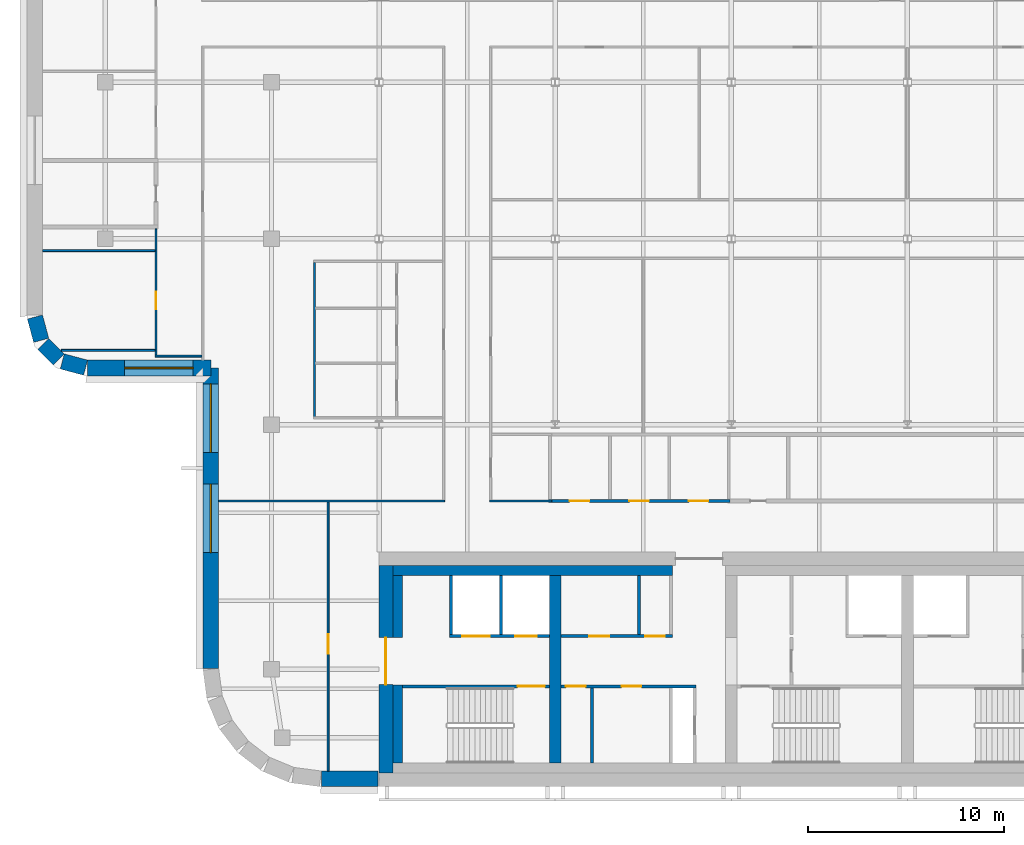
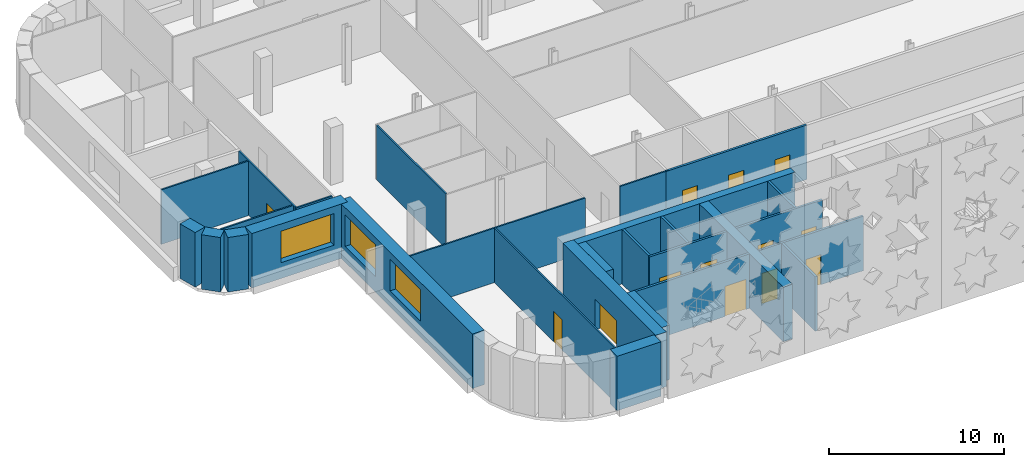
# One storey, part 7 of 18: 28 walls, 13 doors, 3 windows, 16 openings.
"""IFC4 building model written with IfcOpenShell, lengths in metres."""

from ifc_helpers import new_model, si_unit, direction, frame, frame_2d, origin, place, context, subcontext, project, spatial, rectangle, extrude, material, layer, layer_set, type_object, element, fill, save


model = new_model("IFC4")

# Units and contexts
model_context = context("Model", 3, precision=1e-05, world=origin(), true_north=direction((0.0, 1.0)))
body_context = subcontext(model_context, "Body", "Model", "MODEL_VIEW")
ifc_project = project(units=[si_unit("LENGTHUNIT", "METRE"), si_unit("AREAUNIT", "SQUARE_METRE"), si_unit("VOLUMEUNIT", "CUBIC_METRE"), si_unit("PLANEANGLEUNIT", "RADIAN"), si_unit("MASSUNIT", "GRAM", prefix="KILO")], contexts=[model_context])

# Site, building, storey
site_placement = place(None, origin())
site = spatial("IfcSite", under=ifc_project, at=site_placement, CompositionType="ELEMENT")
building_placement = place(site_placement, origin())
building = spatial("IfcBuilding", under=site, at=building_placement, Name="Zellij Exchange Tower", CompositionType="ELEMENT")
storey_placement = place(building_placement, frame((0.0, 0.0, 240.5)))
storey = spatial("IfcBuildingStorey", under=building, at=storey_placement, Name="L56", CompositionType="ELEMENT", Elevation=240.5)

# Walls
ifc_material_1 = material(Name="Concrete C50/60", Category="concrete")
ifc_layer_1 = layer(ifc_material_1, 0.60009765625)
ifc_layer_set_1 = layer_set([ifc_layer_1], Name="Concrete C50/60")
wall_type_1 = type_object("IfcWallType", Name="CORE-CW 600 C50/60", PredefinedType="SHEAR", material=ifc_layer_set_1)
wall_1_placement = place(storey_placement, frame((-18.0, -12.800048828125, 0.0), z_axis=(0.0, 0.0, 1.0), x_axis=(0.0, 1.0, 0.0)))
element("IfcWall", 1, at=wall_1_placement, inside=storey, type_object=wall_type_1, Name="Core cross wall x -18 L56", PredefinedType="SHEAR", context=body_context, shape_type="SweptSolid", body=[
    extrude(rectangle(XDim=9.60009765625, YDim=0.60009765625, at=frame_2d((4.800048828125, 0.0))), origin(), (0.0, 0.0, 1.0), 3.800048828125),
])
ifc_material_2 = material(Name="Concrete C30/37", Category="concrete")
ifc_layer_2 = layer(ifc_material_2, 0.5)
ifc_layer_set_2 = layer_set([ifc_layer_2], Name="Concrete C30/37")
wall_type_2 = type_object("IfcWallType", Name="CORE-LW 500 C30/37", PredefinedType="SHEAR", material=ifc_layer_set_2)
wall_2_placement = place(storey_placement, frame((-26.300048828125, -2.949951171875, 0.0), z_axis=(0.0, 0.0, 1.0), x_axis=(1.0, 0.0, 0.0)))
element("IfcWall", 2, at=wall_2_placement, inside=storey, type_object=wall_type_2, Name="Core wall lining front.0 L56", PredefinedType="SHEAR", context=body_context, shape_type="SweptSolid", body=[
    extrude(rectangle(XDim=14.300048828125, YDim=0.5, at=frame_2d((7.14990234375, 0.0))), origin(), (0.0, 0.0, 1.0), 3.800048828125),
])
wall_3_placement = place(storey_placement, frame((-26.050048828125, -12.800048828125, 0.0), z_axis=(0.0, 0.0, 1.0), x_axis=(0.0, 1.0, 0.0)))
element("IfcWall", 3, at=wall_3_placement, inside=storey, type_object=wall_type_2, Name="Core wall lining end w.0 L56", PredefinedType="SHEAR", context=body_context, shape_type="SweptSolid", body=[
    extrude(rectangle(XDim=4.0, YDim=0.5, at=frame_2d((2.0, 0.0))), origin(), (0.0, 0.0, 1.0), 3.800048828125),
])
wall_4_placement = place(storey_placement, frame((-26.050048828125, -6.375, 0.0), z_axis=(0.0, 0.0, 1.0), x_axis=(0.0, 1.0, 0.0)))
element("IfcWall", 4, at=wall_4_placement, inside=storey, type_object=wall_type_2, Name="Core wall lining end w.1 L56", PredefinedType="SHEAR", context=body_context, shape_type="SweptSolid", body=[
    extrude(rectangle(XDim=3.175048828125, YDim=0.5, at=frame_2d((1.58740234375, 0.0))), origin(), (0.0, 0.0, 1.0), 3.800048828125),
])
ifc_material_3 = material(Name="Gypsum board partition")
ifc_layer_3 = layer(ifc_material_3, 0.14990234375)
ifc_layer_set_3 = layer_set([ifc_layer_3], Name="Gypsum board partition")
wall_type_3 = type_object("IfcWallType", Name="CORE-PW 150 Lift lobby wall", PredefinedType="PARTITIONING", material=ifc_layer_set_3)
wall_5_placement = place(storey_placement, frame((-13.72509765625, -6.22509765625, 0.0), z_axis=(0.0, 0.0, 1.0), x_axis=(0.0, 1.0, 0.0)))
element("IfcWall", 5, at=wall_5_placement, inside=storey, type_object=wall_type_3, Name="Lift lobby wall L56", PredefinedType="PARTITIONING", context=body_context, shape_type="SweptSolid", body=[
    extrude(rectangle(XDim=3.025146484375, YDim=0.14990234375, at=frame_2d((1.5126953125, 0.0))), origin(), (0.0, 0.0, 1.0), 3.800048828125),
])
wall_6_placement = place(storey_placement, frame((-16.125, -12.800048828125, 0.0), z_axis=(0.0, 0.0, 1.0), x_axis=(0.0, 1.0, 0.0)))
element("IfcWall", 6, at=wall_6_placement, inside=storey, type_object=wall_type_3, Name="Lift lobby wall L56", PredefinedType="PARTITIONING", context=body_context, shape_type="SweptSolid", body=[
    extrude(rectangle(XDim=3.85009765625, YDim=0.14990234375, at=frame_2d((1.925048828125, 0.0))), origin(), (0.0, 0.0, 1.0), 3.800048828125),
])

# Wall, openings, doors
wall_7_placement = place(storey_placement, frame((-17.699951171875, -6.300048828125, 0.0), z_axis=(0.0, 0.0, 1.0), x_axis=(1.0, 0.0, 0.0)))
wall_7 = element("IfcWall", 7, at=wall_7_placement, inside=storey, type_object=wall_type_3, Name="Lift lobby wall L56", PredefinedType="PARTITIONING", context=body_context, shape_type="SweptSolid", body=[
    extrude(rectangle(XDim=5.699951171875, YDim=0.14990234375, at=frame_2d((2.85009765625, 0.0))), origin(), (0.0, 0.0, 1.0), 3.800048828125),
])
opening_1_placement = place(wall_7_placement, frame((1.449951171875, 0.0, 0.0)))
opening_1 = element("IfcOpeningElement", 8, at=opening_1_placement, cuts=wall_7, Name="Opening CA-29.06", PredefinedType="OPENING", context=body_context, shape_type="SweptSolid", body=[
    extrude(rectangle(XDim=1.0, YDim=2.10009765625, at=frame_2d((0.5, 1.050048828125))), frame((0.0, 0.0869140625, 0.0), z_axis=(0.0, -1.0, 0.0), x_axis=(1.0, 0.0, 0.0)), (0.0, 0.0, 1.0), 0.173828125),
])
opening_2_placement = place(wall_7_placement, frame((4.300048828125, 0.0, 0.0)))
opening_2 = element("IfcOpeningElement", 9, at=opening_2_placement, cuts=wall_7, Name="Opening CA-29.08", PredefinedType="OPENING", context=body_context, shape_type="SweptSolid", body=[
    extrude(rectangle(XDim=1.0, YDim=2.10009765625, at=frame_2d((0.5, 1.050048828125))), frame((0.0, 0.0869140625, 0.0), z_axis=(0.0, -1.0, 0.0), x_axis=(1.0, 0.0, 0.0)), (0.0, 0.0, 1.0), 0.173828125),
])
ifc_material_4 = material(Name="Hollow metal fire door")
door_type_1 = type_object("IfcDoorType", Name="CORE-D CD Core room door 1000x2100 1 HR", OperationType="NOTDEFINED", PredefinedType="DOOR", material=ifc_material_4)
door_1_placement = place(opening_1_placement, origin())
door_1 = element("IfcDoor", 10, at=door_1_placement, inside=storey, type_object=door_type_1, Name="Core room door CA-29.06", OperationType="SINGLE_SWING_LEFT", OverallHeight=2.10009765625, OverallWidth=1.0, PredefinedType="DOOR", context=body_context, shape_type="SweptSolid", body=[
    extrude(rectangle(XDim=1.0, YDim=2.10009765625, at=frame_2d((0.5, 1.050048828125))), frame((0.0, 0.02490234375, 0.0), z_axis=(0.0, -1.0, 0.0), x_axis=(1.0, 0.0, 0.0)), (0.0, 0.0, 1.0), 0.050048828125),
])
fill(opening_1, door_1)
door_2_placement = place(opening_2_placement, origin())
door_2 = element("IfcDoor", 11, at=door_2_placement, inside=storey, type_object=door_type_1, Name="Core room door CA-29.08", OperationType="SINGLE_SWING_RIGHT", OverallHeight=2.10009765625, OverallWidth=1.0, PredefinedType="DOOR", context=body_context, shape_type="SweptSolid", body=[
    extrude(rectangle(XDim=1.0, YDim=2.10009765625, at=frame_2d((0.5, 1.050048828125))), frame((0.0, 0.02490234375, 0.0), z_axis=(0.0, -1.0, 0.0), x_axis=(1.0, 0.0, 0.0)), (0.0, 0.0, 1.0), 0.050048828125),
])
fill(opening_2, door_2)

wall_8_placement = place(storey_placement, frame((-17.699951171875, -8.875, 0.0), z_axis=(0.0, 0.0, 1.0), x_axis=(1.0, 0.0, 0.0)))
wall_8 = element("IfcWall", 12, at=wall_8_placement, inside=storey, type_object=wall_type_3, Name="Lift lobby wall L56", PredefinedType="PARTITIONING", context=body_context, shape_type="SweptSolid", body=[
    extrude(rectangle(XDim=6.89990234375, YDim=0.14990234375, at=frame_2d((3.449951171875, 0.0))), origin(), (0.0, 0.0, 1.0), 3.800048828125),
])
opening_3_placement = place(wall_8_placement, frame((0.25, 0.0, 0.0)))
opening_3 = element("IfcOpeningElement", 13, at=opening_3_placement, cuts=wall_8, Name="Opening CA-29.05", PredefinedType="OPENING", context=body_context, shape_type="SweptSolid", body=[
    extrude(rectangle(XDim=1.0, YDim=2.10009765625, at=frame_2d((0.5, 1.050048828125))), frame((0.0, 0.0869140625, 0.0), z_axis=(0.0, -1.0, 0.0), x_axis=(1.0, 0.0, 0.0)), (0.0, 0.0, 1.0), 0.173828125),
])
opening_4_placement = place(wall_8_placement, frame((3.10009765625, 0.0, 0.0)))
opening_4 = element("IfcOpeningElement", 14, at=opening_4_placement, cuts=wall_8, Name="Opening CA-29.07", PredefinedType="OPENING", context=body_context, shape_type="SweptSolid", body=[
    extrude(rectangle(XDim=1.0, YDim=2.10009765625, at=frame_2d((0.5, 1.050048828125))), frame((0.0, 0.0869140625, 0.0), z_axis=(0.0, -1.0, 0.0), x_axis=(1.0, 0.0, 0.0)), (0.0, 0.0, 1.0), 0.173828125),
])
door_3_placement = place(opening_4_placement, origin())
door_3 = element("IfcDoor", 15, at=door_3_placement, inside=storey, type_object=door_type_1, Name="Core room door CA-29.07", OperationType="SINGLE_SWING_LEFT", OverallHeight=2.10009765625, OverallWidth=1.0, PredefinedType="DOOR", context=body_context, shape_type="SweptSolid", body=[
    extrude(rectangle(XDim=1.0, YDim=2.10009765625, at=frame_2d((0.5, 1.050048828125))), frame((0.0, 0.02490234375, 0.0), z_axis=(0.0, -1.0, 0.0), x_axis=(1.0, 0.0, 0.0)), (0.0, 0.0, 1.0), 0.050048828125),
])
fill(opening_4, door_3)
door_type_2 = type_object("IfcDoorType", Name="CORE-D CDA Core room door 1000x2100 1.5 HR", OperationType="NOTDEFINED", PredefinedType="DOOR", material=ifc_material_4)
door_4_placement = place(opening_3_placement, origin())
door_4 = element("IfcDoor", 16, at=door_4_placement, inside=storey, type_object=door_type_2, Name="Core room door CA-29.05", OperationType="SINGLE_SWING_RIGHT", OverallHeight=2.10009765625, OverallWidth=1.0, PredefinedType="DOOR", context=body_context, shape_type="SweptSolid", body=[
    extrude(rectangle(XDim=1.0, YDim=2.10009765625, at=frame_2d((0.5, 1.050048828125))), frame((0.0, 0.02490234375, 0.0), z_axis=(0.0, -1.0, 0.0), x_axis=(1.0, 0.0, 0.0)), (0.0, 0.0, 1.0), 0.050048828125),
])
fill(opening_3, door_4)

# Walls
ifc_material_5 = material(Name="Gypsum shaft wall system")
ifc_layer_4 = layer(ifc_material_5, 0.14990234375)
ifc_layer_set_4 = layer_set([ifc_layer_4], Name="Gypsum shaft wall system")
wall_type_4 = type_object("IfcWallType", Name="CORE-PW 150 Lift shaft wall", PredefinedType="PARTITIONING", material=ifc_layer_set_4)
for number, where, z_axis, x_axis, name in (
    (17, (-20.77490234375, -6.22509765625, 0.0), (0.0, 0.0, 1.0), (0.0, 1.0, 0.0), "Lift shaft wall L56"),
    (18, (-23.324951171875, -6.22509765625, 0.0), (0.0, 0.0, 1.0), (0.0, 1.0, 0.0), "Lift shaft wall L56"),
):
    element("IfcWall", number, at=place(storey_placement, frame(where, z_axis=z_axis, x_axis=x_axis)), inside=storey, type_object=wall_type_4, Name=name, PredefinedType="PARTITIONING", context=body_context, shape_type="SweptSolid", body=[
        extrude(rectangle(XDim=3.025146484375, YDim=0.14990234375, at=frame_2d((1.5126953125, 0.0))), origin(), (0.0, 0.0, 1.0), 3.800048828125),
    ])

# Wall, openings, doors
wall_9_placement = place(storey_placement, frame((-23.39990234375, -6.300048828125, 0.0), z_axis=(0.0, 0.0, 1.0), x_axis=(1.0, 0.0, 0.0)))
wall_9 = element("IfcWall", 19, at=wall_9_placement, inside=storey, type_object=wall_type_4, Name="Lift shaft wall L56", PredefinedType="PARTITIONING", context=body_context, shape_type="SweptSolid", body=[
    extrude(rectangle(XDim=5.099853515625, YDim=0.14990234375, at=frame_2d((2.5498046875, 0.0))), origin(), (0.0, 0.0, 1.0), 3.800048828125),
])
opening_5_placement = place(wall_9_placement, frame((0.64990234375, 0.0, 0.0)))
opening_5 = element("IfcOpeningElement", 20, at=opening_5_placement, cuts=wall_9, Name="Opening CA-29.02", PredefinedType="OPENING", context=body_context, shape_type="SweptSolid", body=[
    extrude(rectangle(XDim=1.39990234375, YDim=2.10009765625, at=frame_2d((0.699951171875, 1.050048828125))), frame((0.0, 0.0869140625, 0.0), z_axis=(0.0, -1.0, 0.0), x_axis=(1.0, 0.0, 0.0)), (0.0, 0.0, 1.0), 0.173828125),
])
opening_6_placement = place(wall_9_placement, frame((3.35009765625, 0.0, 0.0)))
opening_6 = element("IfcOpeningElement", 21, at=opening_6_placement, cuts=wall_9, Name="Opening CA-29.03", PredefinedType="OPENING", context=body_context, shape_type="SweptSolid", body=[
    extrude(rectangle(XDim=1.10009765625, YDim=2.10009765625, at=frame_2d((0.550048828125, 1.050048828125))), frame((0.0, 0.0869140625, 0.0), z_axis=(0.0, -1.0, 0.0), x_axis=(1.0, 0.0, 0.0)), (0.0, 0.0, 1.0), 0.173828125),
])
door_type_3 = type_object("IfcDoorType", Name="CORE-D LD Lift landing door 1100x2100 1.5 HR", OperationType="NOTDEFINED", PredefinedType="DOOR", material=ifc_material_4)
door_5_placement = place(opening_6_placement, origin())
door_5 = element("IfcDoor", 22, at=door_5_placement, inside=storey, type_object=door_type_3, Name="Lift landing door CA-29.03", OperationType="SLIDING_TO_LEFT", OverallHeight=2.10009765625, OverallWidth=1.10009765625, PredefinedType="DOOR", context=body_context, shape_type="SweptSolid", body=[
    extrude(rectangle(XDim=1.10009765625, YDim=2.10009765625, at=frame_2d((0.550048828125, 1.050048828125))), frame((0.0, 0.02490234375, 0.0), z_axis=(0.0, -1.0, 0.0), x_axis=(1.0, 0.0, 0.0)), (0.0, 0.0, 1.0), 0.050048828125),
])
fill(opening_6, door_5)
door_type_4 = type_object("IfcDoorType", Name="CORE-D LD2 Service lift landing door 1400x2100 1.5 HR", OperationType="NOTDEFINED", PredefinedType="DOOR", material=ifc_material_4)
door_6_placement = place(opening_5_placement, origin())
door_6 = element("IfcDoor", 23, at=door_6_placement, inside=storey, type_object=door_type_4, Name="Service lift landing door CA-29.02", OperationType="SLIDING_TO_RIGHT", OverallHeight=2.10009765625, OverallWidth=1.39990234375, PredefinedType="DOOR", context=body_context, shape_type="SweptSolid", body=[
    extrude(rectangle(XDim=1.39990234375, YDim=2.10009765625, at=frame_2d((0.699951171875, 1.050048828125))), frame((0.0, 0.02490234375, 0.0), z_axis=(0.0, -1.0, 0.0), x_axis=(1.0, 0.0, 0.0)), (0.0, 0.0, 1.0), 0.050048828125),
])
fill(opening_5, door_6)

# Wall, opening, door
ifc_layer_5 = layer(ifc_material_1, 0.699951171875)
ifc_layer_set_5 = layer_set([ifc_layer_5], Name="Concrete C50/60")
wall_type_5 = type_object("IfcWallType", Name="CORE-SW 700 C50/60", PredefinedType="SHEAR", material=ifc_layer_set_5)
wall_10_placement = place(storey_placement, frame((-26.64990234375, -13.300048828125, 0.0), z_axis=(0.0, 0.0, 1.0), x_axis=(0.0, 1.0, 0.0)))
wall_10 = element("IfcWall", 24, at=wall_10_placement, inside=storey, type_object=wall_type_5, Name="Core shear wall end w L56", PredefinedType="SHEAR", context=body_context, shape_type="SweptSolid", body=[
    extrude(rectangle(XDim=10.60009765625, YDim=0.699951171875, at=frame_2d((5.300048828125, 0.0))), origin(), (0.0, 0.0, 1.0), 3.800048828125),
])
opening_7_placement = place(wall_10_placement, frame((4.511962890625, 0.0, 0.0)))
opening_7 = element("IfcOpeningElement", 25, at=opening_7_placement, cuts=wall_10, Name="Opening CA-29.01", PredefinedType="OPENING", context=body_context, shape_type="SweptSolid", body=[
    extrude(rectangle(XDim=2.39990234375, YDim=2.10009765625, at=frame_2d((1.199951171875, 1.050048828125))), frame((0.0, 0.36181640625, 0.0), z_axis=(0.0, -1.0, 0.0), x_axis=(1.0, 0.0, 0.0)), (0.0, 0.0, 1.0), 0.723876953125),
])
door_type_5 = type_object("IfcDoorType", Name="CORE-D CE Core entrance door 2400x2100 20 MIN", OperationType="NOTDEFINED", PredefinedType="DOOR", material=ifc_material_4)
door_7_placement = place(opening_7_placement, origin())
door_7 = element("IfcDoor", 26, at=door_7_placement, inside=storey, type_object=door_type_5, Name="Core entrance door CA-29.01", OperationType="DOUBLE_DOOR_SINGLE_SWING", OverallHeight=2.10009765625, OverallWidth=2.39990234375, PredefinedType="DOOR", context=body_context, shape_type="SweptSolid", body=[
    extrude(rectangle(XDim=2.39990234375, YDim=2.10009765625, at=frame_2d((1.199951171875, 1.050048828125))), frame((0.0, 0.02490234375, 0.0), z_axis=(0.0, -1.0, 0.0), x_axis=(1.0, 0.0, 0.0)), (0.0, 0.0, 1.0), 0.050048828125),
])
fill(opening_7, door_7)

ifc_layer_6 = layer(ifc_material_1, 0.14990234375)
ifc_layer_set_6 = layer_set([ifc_layer_6], Name="Concrete C50/60")
wall_type_6 = type_object("IfcWallType", Name="CORE-SWS 150 C50/60", PredefinedType="SHEAR", material=ifc_layer_set_6)
wall_11_placement = place(storey_placement, frame((-25.800048828125, -8.875, 0.0), z_axis=(0.0, 0.0, 1.0), x_axis=(1.0, 0.0, 0.0)))
wall_11 = element("IfcWall", 27, at=wall_11_placement, inside=storey, type_object=wall_type_6, Name="Stair enclosure wall L56", PredefinedType="SHEAR", context=body_context, shape_type="SweptSolid", body=[
    extrude(rectangle(XDim=7.5, YDim=0.14990234375, at=frame_2d((3.75, 0.0))), origin(), (0.0, 0.0, 1.0), 3.800048828125),
])
opening_8_placement = place(wall_11_placement, frame((5.875, 0.0, 0.0)))
opening_8 = element("IfcOpeningElement", 28, at=opening_8_placement, cuts=wall_11, Name="Opening CA-29.04", PredefinedType="OPENING", context=body_context, shape_type="SweptSolid", body=[
    extrude(rectangle(XDim=1.39990234375, YDim=2.10009765625, at=frame_2d((0.699951171875, 1.050048828125))), frame((0.0, 0.0869140625, 0.0), z_axis=(0.0, -1.0, 0.0), x_axis=(1.0, 0.0, 0.0)), (0.0, 0.0, 1.0), 0.173828125),
])
door_type_6 = type_object("IfcDoorType", Name="CORE-D SD Stair door 1400x2100 1.5 HR", OperationType="NOTDEFINED", PredefinedType="DOOR", material=ifc_material_4)
door_8_placement = place(opening_8_placement, origin())
door_8 = element("IfcDoor", 29, at=door_8_placement, inside=storey, type_object=door_type_6, Name="Stair door CA-29.04", OperationType="DOUBLE_DOOR_SINGLE_SWING", OverallHeight=2.10009765625, OverallWidth=1.39990234375, PredefinedType="DOOR", context=body_context, shape_type="SweptSolid", body=[
    extrude(rectangle(XDim=1.39990234375, YDim=2.10009765625, at=frame_2d((0.699951171875, 1.050048828125))), frame((0.0, 0.02490234375, 0.0), z_axis=(0.0, -1.0, 0.0), x_axis=(1.0, 0.0, 0.0)), (0.0, 0.0, 1.0), 0.050048828125),
])
fill(opening_8, door_8)

# Walls
ifc_material_6 = material(Name="Precast concrete C40/50", Category="concrete")
ifc_layer_7 = layer(ifc_material_6, 0.800048828125)
ifc_layer_set_7 = layer_set([ifc_layer_7], Name="Precast concrete C40/50")
wall_type_7 = type_object("IfcWallType", Name="ENV-EW1 Precast stone-piered wall 800", PredefinedType="SOLIDWALL", material=ifc_layer_set_7)
wall_12_placement = place(storey_placement, frame((-29.947509765625, -13.60009765625, 0.0), z_axis=(0.0, 0.0, 1.0), x_axis=(1.0, 0.0, 0.0)))
element("IfcWall", 30, at=wall_12_placement, inside=storey, type_object=wall_type_7, Name="fac.L56.00a", PredefinedType="SOLIDWALL", context=body_context, shape_type="SweptSolid", body=[
    extrude(rectangle(XDim=2.8974609375, YDim=0.800048828125, at=frame_2d((1.44873046875, 0.0))), origin(), (0.0, 0.0, 1.0), 3.800048828125),
])
wall_13_placement = place(storey_placement, frame((-44.58642578125, 10.001708984375, 0.0), z_axis=(0.0, 0.0, 1.0), x_axis=(0.258943885187, -0.965892366842, 0.0)))
element("IfcWall", 31, at=wall_13_placement, inside=storey, type_object=wall_type_7, Name="fac.L56.22", PredefinedType="SOLIDWALL", context=body_context, shape_type="SweptSolid", body=[
    extrude(rectangle(XDim=1.233154296875, YDim=0.800048828125, at=frame_2d((0.61669921875, 0.0))), origin(), (0.0, 0.0, 1.0), 3.800048828125),
])
wall_14_placement = place(storey_placement, frame((-44.163818359375, 8.63134765625, 0.0), z_axis=(0.0, 0.0, 1.0), x_axis=(0.707106781187, -0.707106781187, 0.0)))
element("IfcWall", 32, at=wall_14_placement, inside=storey, type_object=wall_type_7, Name="fac.L56.23", PredefinedType="SOLIDWALL", context=body_context, shape_type="SweptSolid", body=[
    extrude(rectangle(XDim=1.12451171875, YDim=0.800048828125, at=frame_2d((0.562255859375, 0.0))), origin(), (0.0, 0.0, 1.0), 3.800048828125),
])
wall_15_placement = place(storey_placement, frame((-43.189453125, 7.73291015625, 0.0), z_axis=(0.0, 0.0, 1.0), x_axis=(0.965892366842, -0.258943885187, 0.0)))
element("IfcWall", 33, at=wall_15_placement, inside=storey, type_object=wall_type_7, Name="fac.L56.24", PredefinedType="SOLIDWALL", context=body_context, shape_type="SweptSolid", body=[
    extrude(rectangle(XDim=1.233154296875, YDim=0.800048828125, at=frame_2d((0.61669921875, 0.0))), origin(), (0.0, 0.0, 1.0), 3.800048828125),
])

# Wall, opening, window
wall_16_placement = place(storey_placement, frame((-41.89453125, 7.39990234375, 0.0), z_axis=(0.0, 0.0, 1.0), x_axis=(1.0, 0.0, 0.0)))
wall_16 = element("IfcWall", 34, at=wall_16_placement, inside=storey, type_object=wall_type_7, Name="fac.L56.25", PredefinedType="SOLIDWALL", context=body_context, shape_type="SweptSolid", body=[
    extrude(rectangle(XDim=6.29443359375, YDim=0.800048828125, at=frame_2d((3.147216796875, 0.0))), origin(), (0.0, 0.0, 1.0), 3.800048828125),
])
opening_9_placement = place(wall_16_placement, frame((1.89453125, 0.0, 1.10009765625)))
opening_9 = element("IfcOpeningElement", 35, at=opening_9_placement, cuts=wall_16, Name="Opening FZ4.21", PredefinedType="OPENING", context=body_context, shape_type="SweptSolid", body=[
    extrude(rectangle(XDim=3.5, YDim=2.199951171875, at=frame_2d((1.75, 1.10009765625))), frame((0.0, 0.412109375, 0.0), z_axis=(0.0, -1.0, 0.0), x_axis=(1.0, 0.0, 0.0)), (0.0, 0.0, 1.0), 0.823974609375),
])
ifc_material_7 = material(Name="Aluminium frame with insulating glass", Category="aluminium")
window_type = type_object("IfcWindowType", Name="ENV-W7 Window 3500x2200", PartitioningType="SINGLE_PANEL", PredefinedType="WINDOW", material=ifc_material_7)
window_1_placement = place(opening_9_placement, origin())
window_1 = element("IfcWindow", 36, at=window_1_placement, inside=storey, type_object=window_type, Name="Window FZ4.21", OverallHeight=2.199951171875, OverallWidth=3.5, PartitioningType="SINGLE_PANEL", PredefinedType="WINDOW", context=body_context, shape_type="SweptSolid", body=[
    extrude(rectangle(XDim=3.5, YDim=2.199951171875, at=frame_2d((1.75, 1.10009765625))), frame((0.0, 0.030029296875, 0.0), z_axis=(0.0, -1.0, 0.0), x_axis=(1.0, 0.0, 0.0)), (0.0, 0.0, 1.0), 0.06005859375),
])
fill(opening_9, window_1)

# Wall, openings, windows
wall_17_placement = place(storey_placement, frame((-35.60009765625, 7.39990234375, 0.0), z_axis=(0.0, 0.0, 1.0), x_axis=(0.0, -1.0, 0.0)))
wall_17 = element("IfcWall", 37, at=wall_17_placement, inside=storey, type_object=wall_type_7, Name="fac.L56.26", PredefinedType="SOLIDWALL", context=body_context, shape_type="SweptSolid", body=[
    extrude(rectangle(XDim=15.347412109375, YDim=0.800048828125, at=frame_2d((7.673828125, 0.0))), origin(), (0.0, 0.0, 1.0), 3.800048828125),
])
opening_10_placement = place(wall_17_placement, frame((0.812255859375, 0.0, 1.10009765625)))
opening_10 = element("IfcOpeningElement", 38, at=opening_10_placement, cuts=wall_17, Name="Opening FZ4.22", PredefinedType="OPENING", context=body_context, shape_type="SweptSolid", body=[
    extrude(rectangle(XDim=3.5, YDim=2.199951171875, at=frame_2d((1.75, 1.10009765625))), frame((0.0, 0.412109375, 0.0), z_axis=(0.0, -1.0, 0.0), x_axis=(1.0, 0.0, 0.0)), (0.0, 0.0, 1.0), 0.823974609375),
])
opening_11_placement = place(wall_17_placement, frame((5.93701171875, 0.0, 1.10009765625)))
opening_11 = element("IfcOpeningElement", 39, at=opening_11_placement, cuts=wall_17, Name="Opening FZ4.23", PredefinedType="OPENING", context=body_context, shape_type="SweptSolid", body=[
    extrude(rectangle(XDim=3.5, YDim=2.199951171875, at=frame_2d((1.75, 1.10009765625))), frame((0.0, 0.412109375, 0.0), z_axis=(0.0, -1.0, 0.0), x_axis=(1.0, 0.0, 0.0)), (0.0, 0.0, 1.0), 0.823974609375),
])
window_2_placement = place(opening_10_placement, origin())
window_2 = element("IfcWindow", 40, at=window_2_placement, inside=storey, type_object=window_type, Name="Window FZ4.22", OverallHeight=2.199951171875, OverallWidth=3.5, PartitioningType="SINGLE_PANEL", PredefinedType="WINDOW", context=body_context, shape_type="SweptSolid", body=[
    extrude(rectangle(XDim=3.5, YDim=2.199951171875, at=frame_2d((1.75, 1.10009765625))), frame((0.0, 0.030029296875, 0.0), z_axis=(0.0, -1.0, 0.0), x_axis=(1.0, 0.0, 0.0)), (0.0, 0.0, 1.0), 0.06005859375),
])
fill(opening_10, window_2)
window_3_placement = place(opening_11_placement, origin())
window_3 = element("IfcWindow", 41, at=window_3_placement, inside=storey, type_object=window_type, Name="Window FZ4.23", OverallHeight=2.199951171875, OverallWidth=3.5, PartitioningType="SINGLE_PANEL", PredefinedType="WINDOW", context=body_context, shape_type="SweptSolid", body=[
    extrude(rectangle(XDim=3.5, YDim=2.199951171875, at=frame_2d((1.75, 1.10009765625))), frame((0.0, 0.030029296875, 0.0), z_axis=(0.0, -1.0, 0.0), x_axis=(1.0, 0.0, 0.0)), (0.0, 0.0, 1.0), 0.06005859375),
])
fill(opening_11, window_3)

# Wall, opening, door
ifc_material_8 = material(Name="Gypsum board partition on steel studs", Category="steel")
ifc_layer_8 = layer(ifc_material_8, 0.10009765625)
ifc_layer_set_8 = layer_set([ifc_layer_8], Name="Gypsum board partition on steel studs")
wall_type_8 = type_object("IfcWallType", Name="FIT-PARTITION-100", PredefinedType="PARTITIONING", material=ifc_layer_set_8)
wall_18_placement = place(storey_placement, frame((-29.60009765625, -13.199951171875, 0.0), z_axis=(0.0, 0.0, 1.0), x_axis=(0.0, 1.0, 0.0)))
wall_18 = element("IfcWall", 42, at=wall_18_placement, inside=storey, type_object=wall_type_8, Name="FIT-PARTITION-100 001", PredefinedType="PARTITIONING", context=body_context, shape_type="SweptSolid", body=[
    extrude(rectangle(XDim=13.75, YDim=0.10009765625, at=frame_2d((6.875, 0.0))), origin(), (0.0, 0.0, 1.0), 3.800048828125),
])
opening_12_placement = place(wall_18_placement, frame((6.0, 0.0, 0.0)))
opening_12 = element("IfcOpeningElement", 43, at=opening_12_placement, cuts=wall_18, Name="Opening O4C.01", PredefinedType="OPENING", context=body_context, shape_type="SweptSolid", body=[
    extrude(rectangle(XDim=1.0, YDim=2.10009765625, at=frame_2d((0.5, 1.050048828125))), frame((0.0, 0.06201171875, 0.0), z_axis=(0.0, -1.0, 0.0), x_axis=(1.0, 0.0, 0.0)), (0.0, 0.0, 1.0), 0.1240234375),
])
ifc_material_9 = material(Name="Timber door set", Category="wood")
door_type_7 = type_object("IfcDoorType", Name="FIT-D2-WIDE-1000X2100", OperationType="SINGLE_SWING_LEFT", PredefinedType="DOOR", material=ifc_material_9)
door_9_placement = place(opening_12_placement, origin())
door_9 = element("IfcDoor", 44, at=door_9_placement, inside=storey, type_object=door_type_7, Name="Door O4C.01", OperationType="SINGLE_SWING_RIGHT", OverallHeight=2.10009765625, OverallWidth=1.0, PredefinedType="DOOR", context=body_context, shape_type="SweptSolid", body=[
    extrude(rectangle(XDim=1.0, YDim=2.10009765625, at=frame_2d((0.5, 1.050048828125))), frame((0.0, 0.02490234375, 0.0), z_axis=(0.0, -1.0, 0.0), x_axis=(1.0, 0.0, 0.0)), (0.0, 0.0, 1.0), 0.050048828125),
])
fill(opening_12, door_9)

# Walls
wall_19_placement = place(storey_placement, frame((-35.199951171875, 0.60009765625, 0.0), z_axis=(0.0, 0.0, 1.0), x_axis=(1.0, 0.0, 0.0)))
element("IfcWall", 45, at=wall_19_placement, inside=storey, type_object=wall_type_8, Name="FIT-PARTITION-100 004", PredefinedType="PARTITIONING", context=body_context, shape_type="SweptSolid", body=[
    extrude(rectangle(XDim=11.550048828125, YDim=0.10009765625, at=frame_2d((5.77490234375, 0.0))), origin(), (0.0, 0.0, 1.0), 3.800048828125),
])
wall_20_placement = place(storey_placement, frame((-21.35009765625, 0.60009765625, 0.0), z_axis=(0.0, 0.0, 1.0), x_axis=(1.0, 0.0, 0.0)))
element("IfcWall", 46, at=wall_20_placement, inside=storey, type_object=wall_type_8, Name="FIT-PARTITION-100 006", PredefinedType="PARTITIONING", context=body_context, shape_type="SweptSolid", body=[
    extrude(rectangle(XDim=3.1650390625, YDim=0.10009765625, at=frame_2d((1.58251953125, 0.0))), origin(), (0.0, 0.0, 1.0), 3.800048828125),
])
wall_21_placement = place(storey_placement, frame((-30.300048828125, 4.89990234375, 0.0), z_axis=(0.0, 0.0, 1.0), x_axis=(0.0, 1.0, 0.0)))
element("IfcWall", 47, at=wall_21_placement, inside=storey, type_object=wall_type_8, Name="FIT-PARTITION-100 024", PredefinedType="PARTITIONING", context=body_context, shape_type="SweptSolid", body=[
    extrude(rectangle(XDim=7.900146484375, YDim=0.10009765625, at=frame_2d((3.9501953125, 0.0))), origin(), (0.0, 0.0, 1.0), 3.800048828125),
])
wall_22_placement = place(storey_placement, frame((-38.449951171875, 8.0, 0.0), z_axis=(0.0, 0.0, 1.0), x_axis=(1.0, 0.0, 0.0)))
element("IfcWall", 48, at=wall_22_placement, inside=storey, type_object=wall_type_8, Name="FIT-PARTITION-100 028", PredefinedType="PARTITIONING", context=body_context, shape_type="SweptSolid", body=[
    extrude(rectangle(XDim=2.39990234375, YDim=0.10009765625, at=frame_2d((1.199951171875, 0.0))), origin(), (0.0, 0.0, 1.0), 3.800048828125),
])

# Wall, opening, door
wall_23_placement = place(storey_placement, frame((-38.39990234375, 8.050048828125, 0.0), z_axis=(0.0, 0.0, 1.0), x_axis=(0.0, 1.0, 0.0)))
wall_23 = element("IfcWall", 49, at=wall_23_placement, inside=storey, type_object=wall_type_8, Name="FIT-PARTITION-100 029", PredefinedType="PARTITIONING", context=body_context, shape_type="SweptSolid", body=[
    extrude(rectangle(XDim=6.449951171875, YDim=0.10009765625, at=frame_2d((3.22509765625, 0.0))), origin(), (0.0, 0.0, 1.0), 3.800048828125),
])
opening_13_placement = place(wall_23_placement, frame((2.35009765625, 0.0, 0.0)))
opening_13 = element("IfcOpeningElement", 50, at=opening_13_placement, cuts=wall_23, Name="Opening O4C.15", PredefinedType="OPENING", context=body_context, shape_type="SweptSolid", body=[
    extrude(rectangle(XDim=0.89990234375, YDim=2.10009765625, at=frame_2d((0.449951171875, 1.050048828125))), frame((0.0, 0.06201171875, 0.0), z_axis=(0.0, -1.0, 0.0), x_axis=(1.0, 0.0, 0.0)), (0.0, 0.0, 1.0), 0.1240234375),
])
door_type_8 = type_object("IfcDoorType", Name="FIT-D1-ROOM-900X2100", OperationType="SINGLE_SWING_LEFT", PredefinedType="DOOR", material=ifc_material_9)
door_10_placement = place(opening_13_placement, origin())
door_10 = element("IfcDoor", 51, at=door_10_placement, inside=storey, type_object=door_type_8, Name="Door O4C.15", OperationType="SINGLE_SWING_RIGHT", OverallHeight=2.10009765625, OverallWidth=0.89990234375, PredefinedType="DOOR", context=body_context, shape_type="SweptSolid", body=[
    extrude(rectangle(XDim=0.89990234375, YDim=2.10009765625, at=frame_2d((0.449951171875, 1.050048828125))), frame((0.0, 0.02490234375, 0.0), z_axis=(0.0, -1.0, 0.0), x_axis=(1.0, 0.0, 0.0)), (0.0, 0.0, 1.0), 0.050048828125),
])
fill(opening_13, door_10)

# Walls
wall_24_placement = place(storey_placement, frame((-43.22998046875, 8.300048828125, 0.0), z_axis=(0.0, 0.0, 1.0), x_axis=(1.0, 0.0, 0.0)))
element("IfcWall", 52, at=wall_24_placement, inside=storey, type_object=wall_type_8, Name="FIT-PARTITION-100 030", PredefinedType="PARTITIONING", context=body_context, shape_type="SweptSolid", body=[
    extrude(rectangle(XDim=4.780029296875, YDim=0.10009765625, at=frame_2d((2.39013671875, 0.0))), origin(), (0.0, 0.0, 1.0), 3.800048828125),
])
wall_25_placement = place(storey_placement, frame((-44.199951171875, 13.39990234375, 0.0), z_axis=(0.0, 0.0, 1.0), x_axis=(1.0, 0.0, 0.0)))
element("IfcWall", 53, at=wall_25_placement, inside=storey, type_object=wall_type_8, Name="FIT-PARTITION-100 034", PredefinedType="PARTITIONING", context=body_context, shape_type="SweptSolid", body=[
    extrude(rectangle(XDim=5.75, YDim=0.10009765625, at=frame_2d((2.875, 0.0))), origin(), (0.0, 0.0, 1.0), 3.800048828125),
])

# Wall, openings, doors
ifc_material_10 = material(Name="Gypsum board shaft-wall partition", Category="gypsum")
ifc_layer_9 = layer(ifc_material_10, 0.14990234375)
ifc_layer_set_9 = layer_set([ifc_layer_9], Name="Gypsum board shaft-wall partition")
wall_type_9 = type_object("IfcWallType", Name="FIT-PARTITION-150-EI60", PredefinedType="PARTITIONING", material=ifc_layer_set_9)
wall_26_placement = place(storey_placement, frame((-18.3349609375, 0.60009765625, 0.0), z_axis=(0.0, 0.0, 1.0), x_axis=(1.0, 0.0, 0.0)))
wall_26 = element("IfcWall", 54, at=wall_26_placement, inside=storey, type_object=wall_type_9, Name="FIT-PARTITION-150-EI60 008", PredefinedType="PARTITIONING", context=body_context, shape_type="SweptSolid", body=[
    extrude(rectangle(XDim=9.280029296875, YDim=0.14990234375, at=frame_2d((4.64013671875, 0.0))), origin(), (0.0, 0.0, 1.0), 3.800048828125),
])
opening_14_placement = place(wall_26_placement, frame((1.077880859375, 0.0, 0.0)))
opening_14 = element("IfcOpeningElement", 55, at=opening_14_placement, cuts=wall_26, Name="Opening O4C.03", PredefinedType="OPENING", context=body_context, shape_type="SweptSolid", body=[
    extrude(rectangle(XDim=1.0, YDim=2.10009765625, at=frame_2d((0.5, 1.050048828125))), frame((0.0, 0.0869140625, 0.0), z_axis=(0.0, -1.0, 0.0), x_axis=(1.0, 0.0, 0.0)), (0.0, 0.0, 1.0), 0.173828125),
])
opening_15_placement = place(wall_26_placement, frame((4.12109375, 0.0, 0.0)))
opening_15 = element("IfcOpeningElement", 56, at=opening_15_placement, cuts=wall_26, Name="Opening O4C.04", PredefinedType="OPENING", context=body_context, shape_type="SweptSolid", body=[
    extrude(rectangle(XDim=1.0, YDim=2.10009765625, at=frame_2d((0.5, 1.050048828125))), frame((0.0, 0.0869140625, 0.0), z_axis=(0.0, -1.0, 0.0), x_axis=(1.0, 0.0, 0.0)), (0.0, 0.0, 1.0), 0.173828125),
])
opening_16_placement = place(wall_26_placement, frame((7.1640625, 0.0, 0.0)))
opening_16 = element("IfcOpeningElement", 57, at=opening_16_placement, cuts=wall_26, Name="Opening O4C.05", PredefinedType="OPENING", context=body_context, shape_type="SweptSolid", body=[
    extrude(rectangle(XDim=1.0, YDim=2.10009765625, at=frame_2d((0.5, 1.050048828125))), frame((0.0, 0.0869140625, 0.0), z_axis=(0.0, -1.0, 0.0), x_axis=(1.0, 0.0, 0.0)), (0.0, 0.0, 1.0), 0.173828125),
])
ifc_material_11 = material(Name="Steel fire door set", Category="steel")
door_type_9 = type_object("IfcDoorType", Name="FIT-D4-FIRE-1000X2100", OperationType="SINGLE_SWING_LEFT", PredefinedType="DOOR", material=ifc_material_11)
door_11_placement = place(opening_14_placement, origin())
door_11 = element("IfcDoor", 58, at=door_11_placement, inside=storey, type_object=door_type_9, Name="Door O4C.03", OperationType="SINGLE_SWING_LEFT", OverallHeight=2.10009765625, OverallWidth=1.0, PredefinedType="DOOR", context=body_context, shape_type="SweptSolid", body=[
    extrude(rectangle(XDim=1.0, YDim=2.10009765625, at=frame_2d((0.5, 1.050048828125))), frame((0.0, 0.02490234375, 0.0), z_axis=(0.0, -1.0, 0.0), x_axis=(1.0, 0.0, 0.0)), (0.0, 0.0, 1.0), 0.050048828125),
])
fill(opening_14, door_11)
door_12_placement = place(opening_15_placement, origin())
door_12 = element("IfcDoor", 59, at=door_12_placement, inside=storey, type_object=door_type_9, Name="Door O4C.04", OperationType="SINGLE_SWING_LEFT", OverallHeight=2.10009765625, OverallWidth=1.0, PredefinedType="DOOR", context=body_context, shape_type="SweptSolid", body=[
    extrude(rectangle(XDim=1.0, YDim=2.10009765625, at=frame_2d((0.5, 1.050048828125))), frame((0.0, 0.02490234375, 0.0), z_axis=(0.0, -1.0, 0.0), x_axis=(1.0, 0.0, 0.0)), (0.0, 0.0, 1.0), 0.050048828125),
])
fill(opening_15, door_12)
door_13_placement = place(opening_16_placement, origin())
door_13 = element("IfcDoor", 60, at=door_13_placement, inside=storey, type_object=door_type_9, Name="Door O4C.05", OperationType="SINGLE_SWING_LEFT", OverallHeight=2.10009765625, OverallWidth=1.0, PredefinedType="DOOR", context=body_context, shape_type="SweptSolid", body=[
    extrude(rectangle(XDim=1.0, YDim=2.10009765625, at=frame_2d((0.5, 1.050048828125))), frame((0.0, 0.02490234375, 0.0), z_axis=(0.0, -1.0, 0.0), x_axis=(1.0, 0.0, 0.0)), (0.0, 0.0, 1.0), 0.050048828125),
])
fill(opening_16, door_13)

save(model, "model.ifc")
